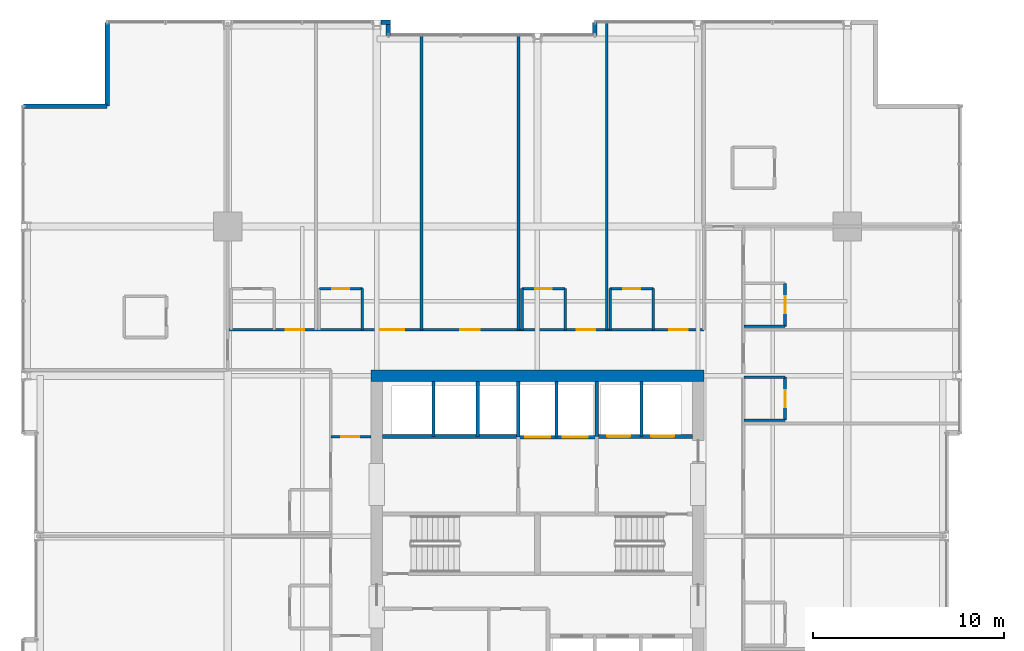
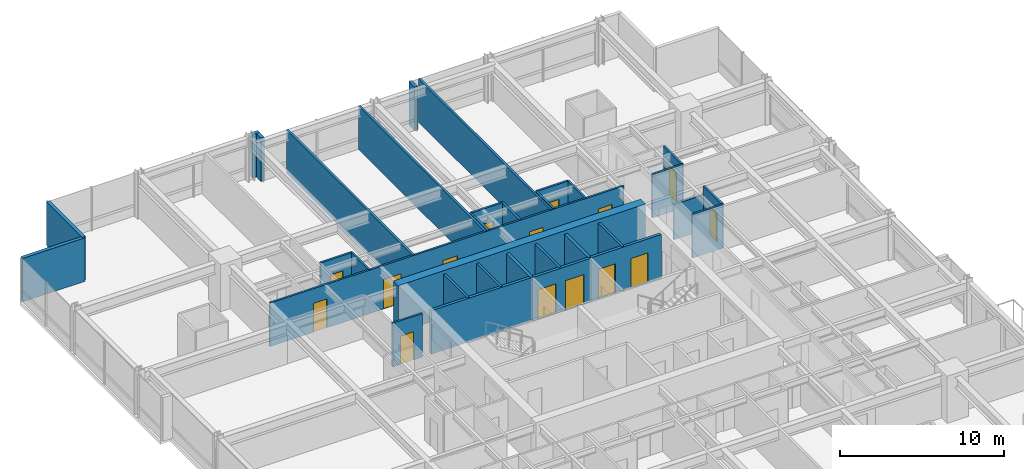
# One storey, part 31 of 35: 33 walls, 15 doors, 15 openings.
"""IFC4 building model written with IfcOpenShell, lengths in metres."""

from ifc_helpers import new_model, si_unit, direction, frame, frame_2d, origin, place, context, subcontext, project, spatial, rectangle, extrude, material, layer, layer_set, type_object, element, fill, save


model = new_model("IFC4")

# Units and contexts
model_context = context("Model", 3, precision=1e-05, world=origin(), true_north=direction((0.0, 1.0)))
body_context = subcontext(model_context, "Body", "Model", "MODEL_VIEW")
ifc_project = project(units=[si_unit("LENGTHUNIT", "METRE"), si_unit("AREAUNIT", "SQUARE_METRE"), si_unit("VOLUMEUNIT", "CUBIC_METRE"), si_unit("PLANEANGLEUNIT", "RADIAN"), si_unit("MASSUNIT", "GRAM", prefix="KILO")], contexts=[model_context])

# Site, building, storey
site_placement = place(None, origin())
site = spatial("IfcSite", under=ifc_project, at=site_placement, CompositionType="ELEMENT")
building_placement = place(site_placement, origin())
building = spatial("IfcBuilding", under=site, at=building_placement, Name="Drelvath Grand Hotel", CompositionType="ELEMENT")
storey_placement = place(building_placement, frame((0.0, 0.0, 98.800048828125)))
storey = spatial("IfcBuildingStorey", under=building, at=storey_placement, Name="L24", CompositionType="ELEMENT", Elevation=98.800048828125)

# Wall, openings, doors
ifc_material_1 = material(Name="Concrete C40/50", Category="concrete")
ifc_layer_1 = layer(ifc_material_1, 0.199951171875)
ifc_layer_set_1 = layer_set([ifc_layer_1], Name="Concrete C40/50")
wall_type_1 = type_object("IfcWallType", Name="Core Hoistway Fire Wall 200", PredefinedType="SOLIDWALL", material=ifc_layer_set_1)
wall_1_placement = place(storey_placement, frame((3.10009765625, 32.219970703125, 0.0), z_axis=(0.0, 0.0, 1.0), x_axis=(1.0, 0.0, 0.0)))
wall_1 = element("IfcWall", 1, at=wall_1_placement, inside=storey, type_object=wall_type_1, Name="L24 FSAE Hoistway Front Wall", PredefinedType="SOLIDWALL", context=body_context, shape_type="SweptSolid", body=[
    extrude(rectangle(XDim=5.0, YDim=0.199951171875, at=frame_2d((2.5, 0.0))), origin(), (0.0, 0.0, 1.0), 3.239990234375),
])
opening_1_placement = place(wall_1_placement, frame((0.550048828125, 0.0, 0.0)))
opening_1 = element("IfcOpeningElement", 2, at=opening_1_placement, cuts=wall_1, Name="Opening LD-FSAE-1", PredefinedType="OPENING", context=body_context, shape_type="SweptSolid", body=[
    extrude(rectangle(XDim=1.199951171875, YDim=2.199951171875, at=frame_2d((0.60009765625, 1.10009765625))), frame((0.0, 0.10986328125, 0.0), z_axis=(0.0, -1.0, 0.0), x_axis=(1.0, 0.0, 0.0)), (0.0, 0.0, 1.0), 0.219970703125),
])
opening_2_placement = place(wall_1_placement, frame((2.85009765625, 0.0, 0.0)))
opening_2 = element("IfcOpeningElement", 3, at=opening_2_placement, cuts=wall_1, Name="Opening LD-FSAE-2", PredefinedType="OPENING", context=body_context, shape_type="SweptSolid", body=[
    extrude(rectangle(XDim=1.199951171875, YDim=2.199951171875, at=frame_2d((0.60009765625, 1.10009765625))), frame((0.0, 0.10986328125, 0.0), z_axis=(0.0, -1.0, 0.0), x_axis=(1.0, 0.0, 0.0)), (0.0, 0.0, 1.0), 0.219970703125),
])
ifc_material_2 = material(Name="Stainless Steel S355", Category="steel")
door_type_1 = type_object("IfcDoorType", Name="FSAE Lift Sliding Landing Door 1200x2200", OperationType="NOTDEFINED", PredefinedType="DOOR", material=ifc_material_2)
door_1_placement = place(opening_1_placement, origin())
door_1 = element("IfcDoor", 4, at=door_1_placement, inside=storey, type_object=door_type_1, Name="L24 Lift FSAE-1 Landing Door", OperationType="SLIDING_TO_LEFT", OverallHeight=2.199951171875, OverallWidth=1.199951171875, PredefinedType="DOOR", context=body_context, shape_type="SweptSolid", body=[
    extrude(rectangle(XDim=1.199951171875, YDim=2.199951171875, at=frame_2d((0.60009765625, 1.10009765625))), frame((0.0, 0.02490234375, 0.0), z_axis=(0.0, -1.0, 0.0), x_axis=(1.0, 0.0, 0.0)), (0.0, 0.0, 1.0), 0.050048828125),
])
fill(opening_1, door_1)
door_2_placement = place(opening_2_placement, origin())
door_2 = element("IfcDoor", 5, at=door_2_placement, inside=storey, type_object=door_type_1, Name="L24 Lift FSAE-2 Landing Door", OperationType="SLIDING_TO_LEFT", OverallHeight=2.199951171875, OverallWidth=1.199951171875, PredefinedType="DOOR", context=body_context, shape_type="SweptSolid", body=[
    extrude(rectangle(XDim=1.199951171875, YDim=2.199951171875, at=frame_2d((0.60009765625, 1.10009765625))), frame((0.0, 0.02490234375, 0.0), z_axis=(0.0, -1.0, 0.0), x_axis=(1.0, 0.0, 0.0)), (0.0, 0.0, 1.0), 0.050048828125),
])
fill(opening_2, door_2)

# Wall
wall_2_placement = place(storey_placement, frame((3.10009765625, 32.219970703125, 0.0), z_axis=(0.0, 0.0, 1.0), x_axis=(0.0, 1.0, 0.0)))
element("IfcWall", 6, at=wall_2_placement, inside=storey, type_object=wall_type_1, Name="L24 FSAE Hoistway West Wall", PredefinedType="SOLIDWALL", context=body_context, shape_type="SweptSolid", body=[
    extrude(rectangle(XDim=2.880126953125, YDim=0.199951171875, at=frame_2d((1.43994140625, 0.0))), origin(), (0.0, 0.0, 1.0), 3.239990234375),
])

# Wall, openings, doors
wall_3_placement = place(storey_placement, frame((-1.0, 32.179931640625, 0.0), z_axis=(0.0, 0.0, 1.0), x_axis=(1.0, 0.0, 0.0)))
wall_3 = element("IfcWall", 7, at=wall_3_placement, inside=storey, type_object=wall_type_1, Name="L24 Service Lift Hoistway Wall", PredefinedType="SOLIDWALL", context=body_context, shape_type="SweptSolid", body=[
    extrude(rectangle(XDim=4.10009765625, YDim=0.199951171875, at=frame_2d((2.050048828125, 0.0))), origin(), (0.0, 0.0, 1.0), 3.239990234375),
])
opening_3_placement = place(wall_3_placement, frame((0.3701171875, 0.0, 0.0)))
opening_3 = element("IfcOpeningElement", 8, at=opening_3_placement, cuts=wall_3, Name="Opening LD-SV-2", PredefinedType="OPENING", context=body_context, shape_type="SweptSolid", body=[
    extrude(rectangle(XDim=1.300048828125, YDim=2.199951171875, at=frame_2d((0.64990234375, 1.10009765625))), frame((0.0, 0.10986328125, 0.0), z_axis=(0.0, -1.0, 0.0), x_axis=(1.0, 0.0, 0.0)), (0.0, 0.0, 1.0), 0.219970703125),
])
opening_4_placement = place(wall_3_placement, frame((2.330078125, 0.0, 0.0)))
opening_4 = element("IfcOpeningElement", 9, at=opening_4_placement, cuts=wall_3, Name="Opening LD-SV-1", PredefinedType="OPENING", context=body_context, shape_type="SweptSolid", body=[
    extrude(rectangle(XDim=1.300048828125, YDim=2.199951171875, at=frame_2d((0.64990234375, 1.10009765625))), frame((0.0, 0.10986328125, 0.0), z_axis=(0.0, -1.0, 0.0), x_axis=(1.0, 0.0, 0.0)), (0.0, 0.0, 1.0), 0.219970703125),
])
door_type_2 = type_object("IfcDoorType", Name="Service Lift Sliding Landing Door 1300x2200", OperationType="NOTDEFINED", PredefinedType="DOOR", material=ifc_material_2)
door_3_placement = place(opening_3_placement, origin())
door_3 = element("IfcDoor", 10, at=door_3_placement, inside=storey, type_object=door_type_2, Name="L24 Lift SV-2 Landing Door", OperationType="SLIDING_TO_LEFT", OverallHeight=2.199951171875, OverallWidth=1.300048828125, PredefinedType="DOOR", context=body_context, shape_type="SweptSolid", body=[
    extrude(rectangle(XDim=1.300048828125, YDim=2.199951171875, at=frame_2d((0.64990234375, 1.10009765625))), frame((0.0, 0.02490234375, 0.0), z_axis=(0.0, -1.0, 0.0), x_axis=(1.0, 0.0, 0.0)), (0.0, 0.0, 1.0), 0.050048828125),
])
fill(opening_3, door_3)
door_4_placement = place(opening_4_placement, origin())
door_4 = element("IfcDoor", 11, at=door_4_placement, inside=storey, type_object=door_type_2, Name="L24 Lift SV-1 Landing Door", OperationType="SLIDING_TO_LEFT", OverallHeight=2.199951171875, OverallWidth=1.300048828125, PredefinedType="DOOR", context=body_context, shape_type="SweptSolid", body=[
    extrude(rectangle(XDim=1.300048828125, YDim=2.199951171875, at=frame_2d((0.64990234375, 1.10009765625))), frame((0.0, 0.02490234375, 0.0), z_axis=(0.0, -1.0, 0.0), x_axis=(1.0, 0.0, 0.0)), (0.0, 0.0, 1.0), 0.050048828125),
])
fill(opening_4, door_4)

# Walls
wall_4_placement = place(storey_placement, frame((-1.0, 32.179931640625, 0.0), z_axis=(0.0, 0.0, 1.0), x_axis=(0.0, 1.0, 0.0)))
element("IfcWall", 12, at=wall_4_placement, inside=storey, type_object=wall_type_1, Name="L24 Service Lift West Wall", PredefinedType="SOLIDWALL", context=body_context, shape_type="SweptSolid", body=[
    extrude(rectangle(XDim=2.920166015625, YDim=0.199951171875, at=frame_2d((1.4599609375, 0.0))), origin(), (0.0, 0.0, 1.0), 3.239990234375),
])
wall_5_placement = place(storey_placement, frame((-8.10009765625, 32.219970703125, 0.0), z_axis=(0.0, 0.0, 1.0), x_axis=(1.0, 0.0, 0.0)))
element("IfcWall", 13, at=wall_5_placement, inside=storey, type_object=wall_type_1, Name="L24 Bank 3 Hoistway Wall", PredefinedType="SOLIDWALL", context=body_context, shape_type="SweptSolid", body=[
    extrude(rectangle(XDim=7.10009765625, YDim=0.199951171875, at=frame_2d((3.550048828125, 0.0))), origin(), (0.0, 0.0, 1.0), 3.239990234375),
])
ifc_material_3 = material(Name="Gypsum Fireboard Partition")
ifc_layer_2 = layer(ifc_material_3, 0.1650390625)
ifc_layer_set_2 = layer_set([ifc_layer_2], Name="Gypsum Fireboard Partition")
wall_type_2 = type_object("IfcWallType", Name="Core Shaft Partition 165", PredefinedType="PARTITIONING", material=ifc_layer_set_2)
wall_6_placement = place(storey_placement, frame((5.449951171875, 32.219970703125, 0.0), z_axis=(0.0, 0.0, 1.0), x_axis=(0.0, 1.0, 0.0)))
element("IfcWall", 14, at=wall_6_placement, inside=storey, type_object=wall_type_2, Name="L24 FSAE Hoistway Divider", PredefinedType="PARTITIONING", context=body_context, shape_type="SweptSolid", body=[
    extrude(rectangle(XDim=2.880126953125, YDim=0.1650390625, at=frame_2d((1.43994140625, 0.0))), origin(), (0.0, 0.0, 1.0), 3.239990234375),
])
wall_7_placement = place(storey_placement, frame((1.0, 32.179931640625, 0.0), z_axis=(0.0, 0.0, 1.0), x_axis=(0.0, 1.0, 0.0)))
element("IfcWall", 15, at=wall_7_placement, inside=storey, type_object=wall_type_2, Name="L24 Service Lift Divider", PredefinedType="PARTITIONING", context=body_context, shape_type="SweptSolid", body=[
    extrude(rectangle(XDim=2.920166015625, YDim=0.1650390625, at=frame_2d((1.4599609375, 0.0))), origin(), (0.0, 0.0, 1.0), 3.239990234375),
])
for number, where, z_axis, x_axis, name in (
    (16, (-5.43994140625, 32.219970703125, 0.0), (0.0, 0.0, 1.0), (0.0, 1.0, 0.0), "L24 Lift PE-7/8 Divider"),
    (17, (-3.1201171875, 32.219970703125, 0.0), (0.0, 0.0, 1.0), (0.0, 1.0, 0.0), "L24 Lift PE-8/9 Divider"),
):
    element("IfcWall", number, at=place(storey_placement, frame(where, z_axis=z_axis, x_axis=x_axis)), inside=storey, type_object=wall_type_2, Name=name, PredefinedType="PARTITIONING", context=body_context, shape_type="SweptSolid", body=[
        extrude(rectangle(XDim=2.880126953125, YDim=0.1650390625, at=frame_2d((1.43994140625, 0.0))), origin(), (0.0, 0.0, 1.0), 3.239990234375),
    ])

# Wall, opening, door
ifc_layer_3 = layer(ifc_material_3, 0.135009765625)
ifc_layer_set_3 = layer_set([ifc_layer_3], Name="Gypsum Fireboard Partition")
wall_type_3 = type_object("IfcWallType", Name="Corridor Fire Barrier Wall 135", PredefinedType="PARTITIONING", material=ifc_layer_set_3)
wall_8_placement = place(storey_placement, frame((-10.800048828125, 32.199951171875, 0.0), z_axis=(0.0, 0.0, 1.0), x_axis=(1.0, 0.0, 0.0)))
wall_8 = element("IfcWall", 18, at=wall_8_placement, inside=storey, type_object=wall_type_3, Name="L24 West Foyer North Wall", PredefinedType="PARTITIONING", context=body_context, shape_type="SweptSolid", body=[
    extrude(rectangle(XDim=2.10009765625, YDim=0.135009765625, at=frame_2d((1.050048828125, 0.0))), origin(), (0.0, 0.0, 1.0), 3.239990234375),
])
opening_5_placement = place(wall_8_placement, frame((0.550048828125, 0.0, 0.0)))
opening_5 = element("IfcOpeningElement", 19, at=opening_5_placement, cuts=wall_8, Name="Opening D-T2G1-018", PredefinedType="OPENING", context=body_context, shape_type="SweptSolid", body=[
    extrude(rectangle(XDim=0.919921875, YDim=2.10009765625, at=frame_2d((0.4599609375, 1.050048828125))), frame((0.0, 0.077392578125, 0.0), z_axis=(0.0, -1.0, 0.0), x_axis=(1.0, 0.0, 0.0)), (0.0, 0.0, 1.0), 0.155029296875),
])
ifc_material_4 = material(Name="Painted Steel S275", Category="steel")
door_type_3 = type_object("IfcDoorType", Name="Staff Utility Door 920x2100", OperationType="NOTDEFINED", PredefinedType="DOOR", material=ifc_material_4)
door_5_placement = place(opening_5_placement, origin())
door_5 = element("IfcDoor", 20, at=door_5_placement, inside=storey, type_object=door_type_3, Name="L24 West Pantry Door", OperationType="SINGLE_SWING_LEFT", OverallHeight=2.10009765625, OverallWidth=0.919921875, PredefinedType="DOOR", context=body_context, shape_type="SweptSolid", body=[
    extrude(rectangle(XDim=0.919921875, YDim=2.10009765625, at=frame_2d((0.4599609375, 1.050048828125))), frame((0.0, 0.02490234375, 0.0), z_axis=(0.0, -1.0, 0.0), x_axis=(1.0, 0.0, 0.0)), (0.0, 0.0, 1.0), 0.050048828125),
])
fill(opening_5, door_5)

# Wall, openings, doors
wall_9_placement = place(storey_placement, frame((-16.199951171875, 37.800048828125, 0.0), z_axis=(0.0, 0.0, 1.0), x_axis=(1.0, 0.0, 0.0)))
wall_9 = element("IfcWall", 21, at=wall_9_placement, inside=storey, type_object=wall_type_3, Name="L24 North Stub Corridor Wall", PredefinedType="PARTITIONING", context=body_context, shape_type="SweptSolid", body=[
    extrude(rectangle(XDim=24.89990234375, YDim=0.135009765625, at=frame_2d((12.449951171875, 0.0))), origin(), (0.0, 0.0, 1.0), 3.239990234375),
])
opening_6_placement = place(wall_9_placement, frame((3.04052734375, 0.0, 0.0)))
opening_6 = element("IfcOpeningElement", 22, at=opening_6_placement, cuts=wall_9, Name="Opening D-T2G1-038", PredefinedType="OPENING", context=body_context, shape_type="SweptSolid", body=[
    extrude(rectangle(XDim=0.9599609375, YDim=2.14990234375, at=frame_2d((0.47998046875, 1.074951171875))), frame((0.0, 0.077392578125, 0.0), z_axis=(0.0, -1.0, 0.0), x_axis=(1.0, 0.0, 0.0)), (0.0, 0.0, 1.0), 0.155029296875),
])
opening_7_placement = place(wall_9_placement, frame((7.962890625, 0.0, 0.0)))
opening_7 = element("IfcOpeningElement", 23, at=opening_7_placement, cuts=wall_9, Name="Opening D-T2G1-040", PredefinedType="OPENING", context=body_context, shape_type="SweptSolid", body=[
    extrude(rectangle(XDim=1.260009765625, YDim=2.199951171875, at=frame_2d((0.6298828125, 1.10009765625))), frame((0.0, 0.077392578125, 0.0), z_axis=(0.0, -1.0, 0.0), x_axis=(1.0, 0.0, 0.0)), (0.0, 0.0, 1.0), 0.155029296875),
])
opening_8_placement = place(wall_9_placement, frame((12.170654296875, 0.0, 0.0)))
opening_8 = element("IfcOpeningElement", 24, at=opening_8_placement, cuts=wall_9, Name="Opening D-T2G1-041", PredefinedType="OPENING", context=body_context, shape_type="SweptSolid", body=[
    extrude(rectangle(XDim=1.02001953125, YDim=2.14990234375, at=frame_2d((0.510009765625, 1.074951171875))), frame((0.0, 0.077392578125, 0.0), z_axis=(0.0, -1.0, 0.0), x_axis=(1.0, 0.0, 0.0)), (0.0, 0.0, 1.0), 0.155029296875),
])
opening_9_placement = place(wall_9_placement, frame((18.25732421875, 0.0, 0.0)))
opening_9 = element("IfcOpeningElement", 25, at=opening_9_placement, cuts=wall_9, Name="Opening D-T2G1-043", PredefinedType="OPENING", context=body_context, shape_type="SweptSolid", body=[
    extrude(rectangle(XDim=0.9599609375, YDim=2.14990234375, at=frame_2d((0.47998046875, 1.074951171875))), frame((0.0, 0.077392578125, 0.0), z_axis=(0.0, -1.0, 0.0), x_axis=(1.0, 0.0, 0.0)), (0.0, 0.0, 1.0), 0.155029296875),
])
opening_10_placement = place(wall_9_placement, frame((23.098876953125, 0.0, 0.0)))
opening_10 = element("IfcOpeningElement", 26, at=opening_10_placement, cuts=wall_9, Name="Opening D-T2G1-045", PredefinedType="OPENING", context=body_context, shape_type="SweptSolid", body=[
    extrude(rectangle(XDim=0.9599609375, YDim=2.14990234375, at=frame_2d((0.47998046875, 1.074951171875))), frame((0.0, 0.077392578125, 0.0), z_axis=(0.0, -1.0, 0.0), x_axis=(1.0, 0.0, 0.0)), (0.0, 0.0, 1.0), 0.155029296875),
])
ifc_material_5 = material(Name="Hardwood Walnut Timber", Category="wood")
door_type_4 = type_object("IfcDoorType", Name="Amenity Meeting Fire Door 1020x2150", OperationType="NOTDEFINED", PredefinedType="DOOR", material=ifc_material_5)
door_6_placement = place(opening_8_placement, origin())
door_6 = element("IfcDoor", 27, at=door_6_placement, inside=storey, type_object=door_type_4, Name="L24 Mid-Rise Business Lounge Entry Door", OperationType="SINGLE_SWING_RIGHT", OverallHeight=2.14990234375, OverallWidth=1.02001953125, PredefinedType="DOOR", context=body_context, shape_type="SweptSolid", body=[
    extrude(rectangle(XDim=1.02001953125, YDim=2.14990234375, at=frame_2d((0.510009765625, 1.074951171875))), frame((0.0, 0.02490234375, 0.0), z_axis=(0.0, -1.0, 0.0), x_axis=(1.0, 0.0, 0.0)), (0.0, 0.0, 1.0), 0.050048828125),
])
fill(opening_8, door_6)
door_type_5 = type_object("IfcDoorType", Name="Guestroom Entrance Fire Door 960x2150", OperationType="NOTDEFINED", PredefinedType="DOOR", material=ifc_material_5)
door_7_placement = place(opening_6_placement, origin())
door_7 = element("IfcDoor", 28, at=door_7_placement, inside=storey, type_object=door_type_5, Name="L24 Deluxe Guest Room Entry Door", OperationType="SINGLE_SWING_LEFT", OverallHeight=2.14990234375, OverallWidth=0.9599609375, PredefinedType="DOOR", context=body_context, shape_type="SweptSolid", body=[
    extrude(rectangle(XDim=0.9599609375, YDim=2.14990234375, at=frame_2d((0.47998046875, 1.074951171875))), frame((0.0, 0.02490234375, 0.0), z_axis=(0.0, -1.0, 0.0), x_axis=(1.0, 0.0, 0.0)), (0.0, 0.0, 1.0), 0.050048828125),
])
fill(opening_6, door_7)
door_8_placement = place(opening_9_placement, origin())
door_8 = element("IfcDoor", 29, at=door_8_placement, inside=storey, type_object=door_type_5, Name="L24 Deluxe Guest Room Entry Door", OperationType="SINGLE_SWING_RIGHT", OverallHeight=2.14990234375, OverallWidth=0.9599609375, PredefinedType="DOOR", context=body_context, shape_type="SweptSolid", body=[
    extrude(rectangle(XDim=0.9599609375, YDim=2.14990234375, at=frame_2d((0.47998046875, 1.074951171875))), frame((0.0, 0.02490234375, 0.0), z_axis=(0.0, -1.0, 0.0), x_axis=(1.0, 0.0, 0.0)), (0.0, 0.0, 1.0), 0.050048828125),
])
fill(opening_9, door_8)
door_9_placement = place(opening_10_placement, origin())
door_9 = element("IfcDoor", 30, at=door_9_placement, inside=storey, type_object=door_type_5, Name="L24 Deluxe Guest Room Entry Door", OperationType="SINGLE_SWING_RIGHT", OverallHeight=2.14990234375, OverallWidth=0.9599609375, PredefinedType="DOOR", context=body_context, shape_type="SweptSolid", body=[
    extrude(rectangle(XDim=0.9599609375, YDim=2.14990234375, at=frame_2d((0.47998046875, 1.074951171875))), frame((0.0, 0.02490234375, 0.0), z_axis=(0.0, -1.0, 0.0), x_axis=(1.0, 0.0, 0.0)), (0.0, 0.0, 1.0), 0.050048828125),
])
fill(opening_10, door_9)
door_type_6 = type_object("IfcDoorType", Name="Suite Entrance Fire Door 1260x2200", OperationType="NOTDEFINED", PredefinedType="DOOR", material=ifc_material_5)
door_10_placement = place(opening_7_placement, origin())
door_10 = element("IfcDoor", 31, at=door_10_placement, inside=storey, type_object=door_type_6, Name="L24 Corner Suite Entry Door", OperationType="SINGLE_SWING_LEFT", OverallHeight=2.199951171875, OverallWidth=1.260009765625, PredefinedType="DOOR", context=body_context, shape_type="SweptSolid", body=[
    extrude(rectangle(XDim=1.260009765625, YDim=2.199951171875, at=frame_2d((0.6298828125, 1.10009765625))), frame((0.0, 0.02490234375, 0.0), z_axis=(0.0, -1.0, 0.0), x_axis=(1.0, 0.0, 0.0)), (0.0, 0.0, 1.0), 0.050048828125),
])
fill(opening_7, door_10)

# Wall
ifc_material_6 = material(Name="Moisture-Resistant Gypsum Board")
ifc_layer_4 = layer(ifc_material_6, 0.139892578125)
ifc_layer_set_4 = layer_set([ifc_layer_4], Name="Moisture-Resistant Gypsum Board")
wall_type_4 = type_object("IfcWallType", Name="En-Suite Plumbing Wall 140", PredefinedType="PLUMBINGWALL", material=ifc_layer_set_4)
wall_10_placement = place(storey_placement, frame((-9.158935546875, 37.800048828125, 0.0), z_axis=(0.0, 0.0, 1.0), x_axis=(0.0, 1.0, 0.0)))
element("IfcWall", 32, at=wall_10_placement, inside=storey, type_object=wall_type_4, Name="L24 En-Suite Right Wall", PredefinedType="PLUMBINGWALL", context=body_context, shape_type="SweptSolid", body=[
    extrude(rectangle(XDim=2.14990234375, YDim=0.139892578125, at=frame_2d((1.074951171875, 0.0))), origin(), (0.0, 0.0, 1.0), 3.239990234375),
])

# Wall, opening, door
wall_11_placement = place(storey_placement, frame((-11.408935546875, 39.949951171875, 0.0), z_axis=(0.0, 0.0, 1.0), x_axis=(1.0, 0.0, 0.0)))
wall_11 = element("IfcWall", 33, at=wall_11_placement, inside=storey, type_object=wall_type_4, Name="L24 En-Suite Front Wall", PredefinedType="PLUMBINGWALL", context=body_context, shape_type="SweptSolid", body=[
    extrude(rectangle(XDim=2.25, YDim=0.139892578125, at=frame_2d((1.125, 0.0))), origin(), (0.0, 0.0, 1.0), 3.239990234375),
])
opening_11_placement = place(wall_11_placement, frame((0.68505859375, 0.0, 0.0)))
opening_11 = element("IfcOpeningElement", 34, at=opening_11_placement, cuts=wall_11, Name="Opening D-T2G1-039", PredefinedType="OPENING", context=body_context, shape_type="SweptSolid", body=[
    extrude(rectangle(XDim=0.8798828125, YDim=2.10009765625, at=frame_2d((0.43994140625, 1.050048828125))), frame((0.0, 0.079833984375, 0.0), z_axis=(0.0, -1.0, 0.0), x_axis=(1.0, 0.0, 0.0)), (0.0, 0.0, 1.0), 0.159912109375),
])
door_type_7 = type_object("IfcDoorType", Name="En-Suite Bathroom Door 880x2100", OperationType="NOTDEFINED", PredefinedType="DOOR", material=ifc_material_5)
door_11_placement = place(opening_11_placement, origin())
door_11 = element("IfcDoor", 35, at=door_11_placement, inside=storey, type_object=door_type_7, Name="L24 En-Suite Bathroom Door", OperationType="SINGLE_SWING_RIGHT", OverallHeight=2.10009765625, OverallWidth=0.8798828125, PredefinedType="DOOR", context=body_context, shape_type="SweptSolid", body=[
    extrude(rectangle(XDim=0.8798828125, YDim=2.10009765625, at=frame_2d((0.43994140625, 1.050048828125))), frame((0.0, 0.02490234375, 0.0), z_axis=(0.0, -1.0, 0.0), x_axis=(1.0, 0.0, 0.0)), (0.0, 0.0, 1.0), 0.050048828125),
])
fill(opening_11, door_11)

# Walls
for number, where, z_axis, x_axis, name in (
    (36, (-0.80322265625, 37.800048828125, 0.0), (0.0, 0.0, 1.0), (0.0, 1.0, 0.0), "L24 En-Suite Left Wall"),
    (37, (1.44677734375, 37.800048828125, 0.0), (0.0, 0.0, 1.0), (0.0, 1.0, 0.0), "L24 En-Suite Right Wall"),
):
    element("IfcWall", number, at=place(storey_placement, frame(where, z_axis=z_axis, x_axis=x_axis)), inside=storey, type_object=wall_type_4, Name=name, PredefinedType="PLUMBINGWALL", context=body_context, shape_type="SweptSolid", body=[
        extrude(rectangle(XDim=2.14990234375, YDim=0.139892578125, at=frame_2d((1.074951171875, 0.0))), origin(), (0.0, 0.0, 1.0), 3.239990234375),
    ])

# Wall, opening, door
wall_12_placement = place(storey_placement, frame((-0.80322265625, 39.949951171875, 0.0), z_axis=(0.0, 0.0, 1.0), x_axis=(1.0, 0.0, 0.0)))
wall_12 = element("IfcWall", 38, at=wall_12_placement, inside=storey, type_object=wall_type_4, Name="L24 En-Suite Front Wall", PredefinedType="PLUMBINGWALL", context=body_context, shape_type="SweptSolid", body=[
    extrude(rectangle(XDim=2.25, YDim=0.139892578125, at=frame_2d((1.125, 0.0))), origin(), (0.0, 0.0, 1.0), 3.239990234375),
])
opening_12_placement = place(wall_12_placement, frame((0.68505859375, 0.0, 0.0)))
opening_12 = element("IfcOpeningElement", 39, at=opening_12_placement, cuts=wall_12, Name="Opening D-T2G1-042", PredefinedType="OPENING", context=body_context, shape_type="SweptSolid", body=[
    extrude(rectangle(XDim=0.8798828125, YDim=2.10009765625, at=frame_2d((0.43994140625, 1.050048828125))), frame((0.0, 0.079833984375, 0.0), z_axis=(0.0, -1.0, 0.0), x_axis=(1.0, 0.0, 0.0)), (0.0, 0.0, 1.0), 0.159912109375),
])
door_12_placement = place(opening_12_placement, origin())
door_12 = element("IfcDoor", 40, at=door_12_placement, inside=storey, type_object=door_type_7, Name="L24 En-Suite Bathroom Door", OperationType="SINGLE_SWING_LEFT", OverallHeight=2.10009765625, OverallWidth=0.8798828125, PredefinedType="DOOR", context=body_context, shape_type="SweptSolid", body=[
    extrude(rectangle(XDim=0.8798828125, YDim=2.10009765625, at=frame_2d((0.43994140625, 1.050048828125))), frame((0.0, 0.02490234375, 0.0), z_axis=(0.0, -1.0, 0.0), x_axis=(1.0, 0.0, 0.0)), (0.0, 0.0, 1.0), 0.050048828125),
])
fill(opening_12, door_12)

# Walls
for number, where, z_axis, x_axis, name in (
    (41, (3.807861328125, 37.800048828125, 0.0), (0.0, 0.0, 1.0), (0.0, 1.0, 0.0), "L24 En-Suite Left Wall"),
    (42, (6.057861328125, 37.800048828125, 0.0), (0.0, 0.0, 1.0), (0.0, 1.0, 0.0), "L24 En-Suite Right Wall"),
):
    element("IfcWall", number, at=place(storey_placement, frame(where, z_axis=z_axis, x_axis=x_axis)), inside=storey, type_object=wall_type_4, Name=name, PredefinedType="PLUMBINGWALL", context=body_context, shape_type="SweptSolid", body=[
        extrude(rectangle(XDim=2.14990234375, YDim=0.139892578125, at=frame_2d((1.074951171875, 0.0))), origin(), (0.0, 0.0, 1.0), 3.239990234375),
    ])

# Wall, opening, door
wall_13_placement = place(storey_placement, frame((3.807861328125, 39.949951171875, 0.0), z_axis=(0.0, 0.0, 1.0), x_axis=(1.0, 0.0, 0.0)))
wall_13 = element("IfcWall", 43, at=wall_13_placement, inside=storey, type_object=wall_type_4, Name="L24 En-Suite Front Wall", PredefinedType="PLUMBINGWALL", context=body_context, shape_type="SweptSolid", body=[
    extrude(rectangle(XDim=2.25, YDim=0.139892578125, at=frame_2d((1.125, 0.0))), origin(), (0.0, 0.0, 1.0), 3.239990234375),
])
opening_13_placement = place(wall_13_placement, frame((0.68505859375, 0.0, 0.0)))
opening_13 = element("IfcOpeningElement", 44, at=opening_13_placement, cuts=wall_13, Name="Opening D-T2G1-044", PredefinedType="OPENING", context=body_context, shape_type="SweptSolid", body=[
    extrude(rectangle(XDim=0.8798828125, YDim=2.10009765625, at=frame_2d((0.43994140625, 1.050048828125))), frame((0.0, 0.079833984375, 0.0), z_axis=(0.0, -1.0, 0.0), x_axis=(1.0, 0.0, 0.0)), (0.0, 0.0, 1.0), 0.159912109375),
])
door_13_placement = place(opening_13_placement, origin())
door_13 = element("IfcDoor", 45, at=door_13_placement, inside=storey, type_object=door_type_7, Name="L24 En-Suite Bathroom Door", OperationType="SINGLE_SWING_LEFT", OverallHeight=2.10009765625, OverallWidth=0.8798828125, PredefinedType="DOOR", context=body_context, shape_type="SweptSolid", body=[
    extrude(rectangle(XDim=0.8798828125, YDim=2.10009765625, at=frame_2d((0.43994140625, 1.050048828125))), frame((0.0, 0.02490234375, 0.0), z_axis=(0.0, -1.0, 0.0), x_axis=(1.0, 0.0, 0.0)), (0.0, 0.0, 1.0), 0.050048828125),
])
fill(opening_13, door_13)

# Walls
wall_14_placement = place(storey_placement, frame((10.800048828125, 33.07080078125, 0.0), z_axis=(0.0, 0.0, 1.0), x_axis=(1.0, 0.0, 0.0)))
element("IfcWall", 46, at=wall_14_placement, inside=storey, type_object=wall_type_4, Name="L24 En-Suite Left Wall", PredefinedType="PLUMBINGWALL", context=body_context, shape_type="SweptSolid", body=[
    extrude(rectangle(XDim=2.14990234375, YDim=0.139892578125, at=frame_2d((1.074951171875, 0.0))), origin(), (0.0, 0.0, 1.0), 3.239990234375),
])
wall_15_placement = place(storey_placement, frame((10.800048828125, 35.32080078125, 0.0), z_axis=(0.0, 0.0, 1.0), x_axis=(1.0, 0.0, 0.0)))
element("IfcWall", 47, at=wall_15_placement, inside=storey, type_object=wall_type_4, Name="L24 En-Suite Right Wall", PredefinedType="PLUMBINGWALL", context=body_context, shape_type="SweptSolid", body=[
    extrude(rectangle(XDim=2.14990234375, YDim=0.139892578125, at=frame_2d((1.074951171875, 0.0))), origin(), (0.0, 0.0, 1.0), 2.617431640625),
])

# Wall, opening, door
wall_16_placement = place(storey_placement, frame((12.949951171875, 33.07080078125, 0.0), z_axis=(0.0, 0.0, 1.0), x_axis=(0.0, 1.0, 0.0)))
wall_16 = element("IfcWall", 48, at=wall_16_placement, inside=storey, type_object=wall_type_4, Name="L24 En-Suite Front Wall", PredefinedType="PLUMBINGWALL", context=body_context, shape_type="SweptSolid", body=[
    extrude(rectangle(XDim=2.25, YDim=0.139892578125, at=frame_2d((1.125, 0.0))), origin(), (0.0, 0.0, 1.0), 3.239990234375),
])
opening_14_placement = place(wall_16_placement, frame((0.68505859375, 0.0, 0.0)))
opening_14 = element("IfcOpeningElement", 49, at=opening_14_placement, cuts=wall_16, Name="Opening D-T2G1-053", PredefinedType="OPENING", context=body_context, shape_type="SweptSolid", body=[
    extrude(rectangle(XDim=0.8798828125, YDim=2.10009765625, at=frame_2d((0.43994140625, 1.050048828125))), frame((0.0, 0.079833984375, 0.0), z_axis=(0.0, -1.0, 0.0), x_axis=(1.0, 0.0, 0.0)), (0.0, 0.0, 1.0), 0.159912109375),
])
door_14_placement = place(opening_14_placement, origin())
door_14 = element("IfcDoor", 50, at=door_14_placement, inside=storey, type_object=door_type_7, Name="L24 En-Suite Bathroom Door", OperationType="SINGLE_SWING_RIGHT", OverallHeight=2.10009765625, OverallWidth=0.8798828125, PredefinedType="DOOR", context=body_context, shape_type="SweptSolid", body=[
    extrude(rectangle(XDim=0.8798828125, YDim=2.10009765625, at=frame_2d((0.43994140625, 1.050048828125))), frame((0.0, 0.02490234375, 0.0), z_axis=(0.0, -1.0, 0.0), x_axis=(1.0, 0.0, 0.0)), (0.0, 0.0, 1.0), 0.050048828125),
])
fill(opening_14, door_14)

# Wall
wall_17_placement = place(storey_placement, frame((10.800048828125, 37.97998046875, 0.0), z_axis=(0.0, 0.0, 1.0), x_axis=(1.0, 0.0, 0.0)))
element("IfcWall", 51, at=wall_17_placement, inside=storey, type_object=wall_type_4, Name="L24 En-Suite Left Wall", PredefinedType="PLUMBINGWALL", context=body_context, shape_type="SweptSolid", body=[
    extrude(rectangle(XDim=2.14990234375, YDim=0.139892578125, at=frame_2d((1.074951171875, 0.0))), origin(), (0.0, 0.0, 1.0), 3.239990234375),
])

# Wall, opening, door
wall_18_placement = place(storey_placement, frame((12.949951171875, 37.97998046875, 0.0), z_axis=(0.0, 0.0, 1.0), x_axis=(0.0, 1.0, 0.0)))
wall_18 = element("IfcWall", 52, at=wall_18_placement, inside=storey, type_object=wall_type_4, Name="L24 En-Suite Front Wall", PredefinedType="PLUMBINGWALL", context=body_context, shape_type="SweptSolid", body=[
    extrude(rectangle(XDim=2.25, YDim=0.139892578125, at=frame_2d((1.125, 0.0))), origin(), (0.0, 0.0, 1.0), 3.239990234375),
])
opening_15_placement = place(wall_18_placement, frame((0.68505859375, 0.0, 0.0)))
opening_15 = element("IfcOpeningElement", 53, at=opening_15_placement, cuts=wall_18, Name="Opening D-T2G1-055", PredefinedType="OPENING", context=body_context, shape_type="SweptSolid", body=[
    extrude(rectangle(XDim=0.8798828125, YDim=2.10009765625, at=frame_2d((0.43994140625, 1.050048828125))), frame((0.0, 0.079833984375, 0.0), z_axis=(0.0, -1.0, 0.0), x_axis=(1.0, 0.0, 0.0)), (0.0, 0.0, 1.0), 0.159912109375),
])
door_15_placement = place(opening_15_placement, origin())
door_15 = element("IfcDoor", 54, at=door_15_placement, inside=storey, type_object=door_type_7, Name="L24 En-Suite Bathroom Door", OperationType="SINGLE_SWING_RIGHT", OverallHeight=2.10009765625, OverallWidth=0.8798828125, PredefinedType="DOOR", context=body_context, shape_type="SweptSolid", body=[
    extrude(rectangle(XDim=0.8798828125, YDim=2.10009765625, at=frame_2d((0.43994140625, 1.050048828125))), frame((0.0, 0.02490234375, 0.0), z_axis=(0.0, -1.0, 0.0), x_axis=(1.0, 0.0, 0.0)), (0.0, 0.0, 1.0), 0.050048828125),
])
fill(opening_15, door_15)

# Walls
ifc_material_7 = material(Name="Gypsum Acoustic Partition")
ifc_layer_5 = layer(ifc_material_7, 0.14990234375)
ifc_layer_set_5 = layer_set([ifc_layer_5], Name="Gypsum Acoustic Partition")
wall_type_5 = type_object("IfcWallType", Name="Guestroom Demising Wall 150", PredefinedType="PARTITIONING", material=ifc_layer_set_5)
for number, where, z_axis, x_axis, name in (
    (55, (-6.0556640625, 37.800048828125, 0.0), (0.0, 0.0, 1.0), (0.0, 1.0, 0.0), "L24 North Demising 2"),
    (56, (-0.9833984375, 37.800048828125, 0.0), (0.0, 0.0, 1.0), (0.0, 1.0, 0.0), "L24 North Demising 3"),
):
    element("IfcWall", number, at=place(storey_placement, frame(where, z_axis=z_axis, x_axis=x_axis)), inside=storey, type_object=wall_type_5, Name=name, PredefinedType="PARTITIONING", context=body_context, shape_type="SweptSolid", body=[
        extrude(rectangle(XDim=15.39990234375, YDim=0.14990234375, at=frame_2d((7.699951171875, 0.0))), origin(), (0.0, 0.0, 1.0), 3.239990234375),
    ])
wall_19_placement = place(storey_placement, frame((3.627685546875, 37.800048828125, 0.0), z_axis=(0.0, 0.0, 1.0), x_axis=(0.0, 1.0, 0.0)))
element("IfcWall", 57, at=wall_19_placement, inside=storey, type_object=wall_type_5, Name="L24 North Demising 4", PredefinedType="PARTITIONING", context=body_context, shape_type="SweptSolid", body=[
    extrude(rectangle(XDim=16.079833984375, YDim=0.14990234375, at=frame_2d((8.0400390625, 0.0))), origin(), (0.0, 0.0, 1.0), 3.239990234375),
])
ifc_material_8 = material(Name="Concrete f'c 70 MPa", Category="concrete")
ifc_layer_6 = layer(ifc_material_8, 0.60009765625)
ifc_layer_set_6 = layer_set([ifc_layer_6], Name="Concrete f'c 70 MPa")
wall_type_6 = type_object("IfcWallType", Name="Lower Core RC Shear Wall 600", PredefinedType="SHEAR", material=ifc_layer_set_6)
wall_20_placement = place(storey_placement, frame((-8.699951171875, 35.39990234375, 0.0), z_axis=(0.0, 0.0, 1.0), x_axis=(1.0, 0.0, 0.0)))
element("IfcWall", 58, at=wall_20_placement, inside=storey, type_object=wall_type_6, Name="L24 Central Core Shear Wall N", PredefinedType="SHEAR", context=body_context, shape_type="SweptSolid", body=[
    extrude(rectangle(XDim=17.39990234375, YDim=0.60009765625, at=frame_2d((8.699951171875, 0.0))), origin(), (0.0, 0.0, 1.0), 3.5),
])
ifc_material_9 = material(Name="Pale-Metal Insulated Aluminium Spandrel Assembly", Category="aluminium")
ifc_layer_7 = layer(ifc_material_9, 0.239990234375)
ifc_layer_set_7 = layer_set([ifc_layer_7], Name="Pale-Metal Insulated Aluminium Spandrel Assembly")
wall_type_7 = type_object("IfcWallType", Name="Tower Insulated Metal Spandrel Closure Wall 240", PredefinedType="STANDARD", material=ifc_layer_set_7)
wall_21_placement = place(storey_placement, frame((-8.180419921875, 53.8798828125, 0.0), z_axis=(0.0, 0.0, 1.0), x_axis=(1.0, 0.0, 0.0)))
element("IfcWall", 59, at=wall_21_placement, inside=storey, type_object=wall_type_7, Name="L24 Corner Pier Spandrel Wall NW3", PredefinedType="STANDARD", context=body_context, shape_type="SweptSolid", body=[
    extrude(rectangle(XDim=0.50048828125, YDim=0.239990234375, at=frame_2d((0.250244140625, 0.0))), origin(), (0.0, 0.0, 1.0), 3.239990234375),
])
for number, where, z_axis, x_axis, name in (
    (60, (-26.8798828125, 49.5, 0.0), (0.0, 0.0, 1.0), (1.0, 0.0, 0.0), "L24 Notched Corner Return Spandrel Wall CNW1"),
    (61, (-22.5, 49.5, 0.0), (0.0, 0.0, 1.0), (0.0, 1.0, 0.0), "L24 Notched Corner Return Spandrel Wall CNW2"),
):
    element("IfcWall", number, at=place(storey_placement, frame(where, z_axis=z_axis, x_axis=x_axis)), inside=storey, type_object=wall_type_7, Name=name, PredefinedType="STANDARD", context=body_context, shape_type="SweptSolid", body=[
        extrude(rectangle(XDim=4.3798828125, YDim=0.239990234375, at=frame_2d((2.18994140625, 0.0))), origin(), (0.0, 0.0, 1.0), 3.239990234375),
    ])
wall_22_placement = place(storey_placement, frame((-7.800048828125, 53.760009765625, 0.0), z_axis=(0.0, 0.0, 1.0), x_axis=(0.0, -1.0, 0.0)))
element("IfcWall", 62, at=wall_22_placement, inside=storey, type_object=wall_type_7, Name="L24 Notched Corner Return Spandrel Wall RN1", PredefinedType="STANDARD", context=body_context, shape_type="SweptSolid", body=[
    extrude(rectangle(XDim=0.56005859375, YDim=0.239990234375, at=frame_2d((0.280029296875, 0.0))), origin(), (0.0, 0.0, 1.0), 3.239990234375),
])
wall_23_placement = place(storey_placement, frame((3.0, 53.199951171875, 0.0), z_axis=(0.0, 0.0, 1.0), x_axis=(0.0, 1.0, 0.0)))
element("IfcWall", 63, at=wall_23_placement, inside=storey, type_object=wall_type_7, Name="L24 Notched Corner Return Spandrel Wall RN2", PredefinedType="STANDARD", context=body_context, shape_type="SweptSolid", body=[
    extrude(rectangle(XDim=0.679931640625, YDim=0.239990234375, at=frame_2d((0.33984375, 0.0))), origin(), (0.0, 0.0, 1.0), 3.239990234375),
])

save(model, "model.ifc")
